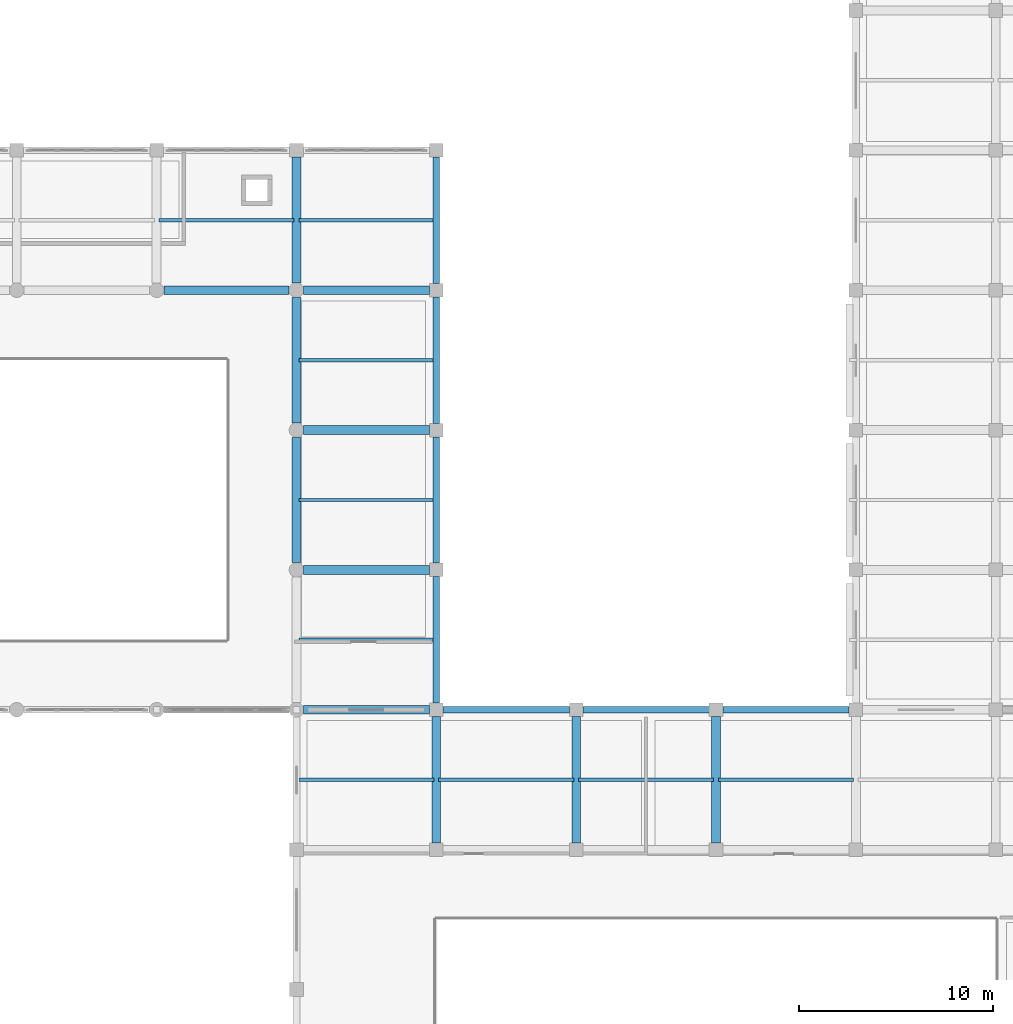
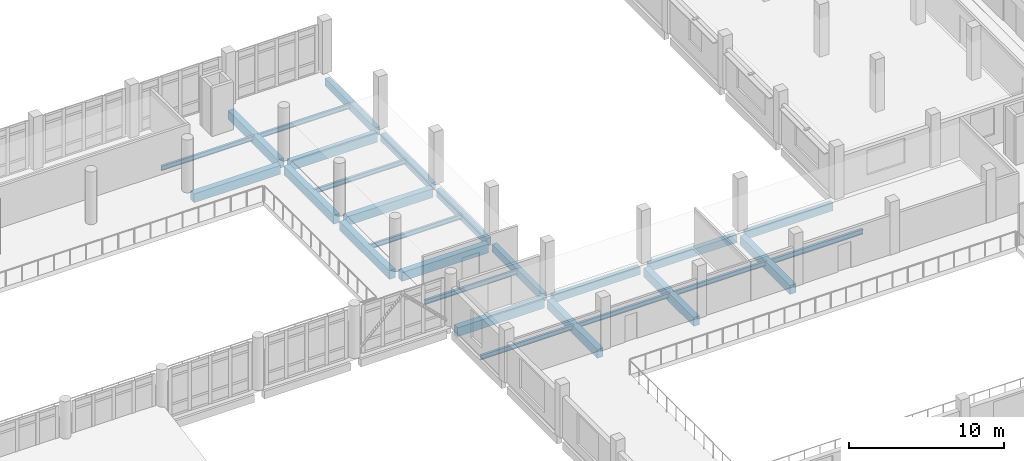
# One storey, part 14 of 57: 27 beams.
"""IFC4 building model written with IfcOpenShell, lengths in metres."""

from ifc_helpers import new_model, si_unit, direction, frame, origin, origin_2d, place, context, subcontext, project, spatial, rectangle, i_section, extrude, material, material_profile, profile_set, type_object, element, save


model = new_model("IFC4")

# Units and contexts
model_context = context("Model", 3, precision=1e-05, world=origin(), true_north=direction((0.0, 1.0)))
body_context = subcontext(model_context, "Body", "Model", "MODEL_VIEW")
ifc_project = project(units=[si_unit("LENGTHUNIT", "METRE"), si_unit("AREAUNIT", "SQUARE_METRE"), si_unit("VOLUMEUNIT", "CUBIC_METRE"), si_unit("PLANEANGLEUNIT", "RADIAN"), si_unit("MASSUNIT", "GRAM", prefix="KILO")], contexts=[model_context])

# Site, building, storey
site_placement = place(None, origin())
site = spatial("IfcSite", under=ifc_project, at=site_placement, CompositionType="ELEMENT")
building_placement = place(site_placement, origin())
building = spatial("IfcBuilding", under=site, at=building_placement, Name="Valkovuoma Quantum and Materials Research Institute", CompositionType="ELEMENT")
storey_placement = place(building_placement, frame((0.0, 0.0, 4.800048828125)))
storey = spatial("IfcBuildingStorey", under=building, at=storey_placement, Name="L01", CompositionType="ELEMENT", Elevation=4.800048828125)

# Beams
ifc_material_1 = material(Name="Steel S355J2", Category="steel")
ifc_material_profile_1 = material_profile(ifc_material_1, i_section(OverallWidth=0.169921875, OverallDepth=0.360107421875, WebThickness=0.008056640625, FlangeThickness=0.0126953125, FilletRadius=0.01806640625, at=origin_2d()), Name="Steel S355J2")
ifc_profile_set_1 = profile_set([ifc_material_profile_1], Name="Steel S355J2")
beam_type_1 = type_object("IfcBeamType", Name="Beam-B-JST360", PredefinedType="JOIST", material=ifc_profile_set_1)
for number, where, z_axis, x_axis, name in (
    (1, (100.919921875, 32.39990234375, -0.530029296875), (1.0, 0.0, 0.0), (0.0, 1.0, 0.0), "L01 floor joist 0865"),
    (2, (108.1201171875, 32.39990234375, -0.530029296875), (1.0, 0.0, 0.0), (0.0, 1.0, 0.0), "L01 floor joist 0866"),
    (3, (115.320068359375, 32.39990234375, -0.530029296875), (1.0, 0.0, 0.0), (0.0, 1.0, 0.0), "L01 floor joist 0867"),
    (4, (100.919921875, 39.60009765625, -0.530029296875), (1.0, 0.0, 0.0), (0.0, 1.0, 0.0), "L01 floor joist 0876"),
    (5, (100.919921875, 46.800048828125, -0.530029296875), (1.0, 0.0, 0.0), (0.0, 1.0, 0.0), "L01 floor joist 0887"),
    (6, (100.919921875, 54.0, -0.530029296875), (1.0, 0.0, 0.0), (0.0, 1.0, 0.0), "L01 floor joist 0898"),
    (7, (93.719970703125, 61.199951171875, -0.530029296875), (1.0, 0.0, 0.0), (0.0, 1.0, 0.0), "L01 floor joist 0917"),
    (8, (100.919921875, 61.199951171875, -0.530029296875), (1.0, 0.0, 0.0), (0.0, 1.0, 0.0), "L01 floor joist 0918"),
):
    element("IfcBeam", number, at=place(storey_placement, frame(where, z_axis=z_axis, x_axis=x_axis)), inside=storey, type_object=beam_type_1, Name=name, PredefinedType="JOIST", context=body_context, shape_type="SweptSolid", body=[
        extrude(i_section(OverallWidth=0.169921875, OverallDepth=0.360107421875, WebThickness=0.008056640625, FlangeThickness=0.0126953125, FilletRadius=0.01806640625, at=origin_2d()), origin(), (0.0, 0.0, 1.0), 6.9599609375),
    ])
ifc_material_2 = material(Name="Steel S355J2", Category="steel")
ifc_material_profile_2 = material_profile(ifc_material_2, i_section(OverallWidth=0.179931640625, OverallDepth=0.39990234375, WebThickness=0.008544921875, FlangeThickness=0.013427734375, FilletRadius=0.02099609375, at=origin_2d()), Name="Steel S355J2")
ifc_profile_set_2 = profile_set([ifc_material_profile_2], Name="Steel S355J2")
beam_type_2 = type_object("IfcBeamType", Name="Beam-B-JST400", PredefinedType="JOIST", material=ifc_profile_set_2)
beam_1_placement = place(storey_placement, frame((122.52001953125, 32.39990234375, -0.550048828125), z_axis=(1.0, 0.0, 0.0), x_axis=(0.0, 1.0, 0.0)))
element("IfcBeam", 9, at=beam_1_placement, inside=storey, type_object=beam_type_2, Name="L01 floor joist 0868", PredefinedType="JOIST", context=body_context, shape_type="SweptSolid", body=[
    extrude(i_section(OverallWidth=0.179931640625, OverallDepth=0.39990234375, WebThickness=0.008544921875, FlangeThickness=0.013427734375, FilletRadius=0.02099609375, at=origin_2d()), origin(), (0.0, 0.0, 1.0), 6.9599609375),
])
ifc_material_3 = material(Name="Concrete C40/50", Category="concrete")
ifc_material_profile_3 = material_profile(ifc_material_3, rectangle(XDim=0.449951171875, YDim=0.699951171875, at=origin_2d()), Name="Concrete C40/50")
ifc_profile_set_3 = profile_set([ifc_material_profile_3], Name="Concrete C40/50")
beam_type_3 = type_object("IfcBeamType", Name="Beam-B-RC700", PredefinedType="BEAM", material=ifc_profile_set_3)
for number, where, z_axis, x_axis, name in (
    (10, (101.175048828125, 36.0, -0.699951171875), (1.0, 0.0, 0.0), (0.0, 1.0, 0.0), "L01 beam X-0576"),
    (11, (101.175048828125, 43.199951171875, -0.699951171875), (1.0, 0.0, 0.0), (0.0, 1.0, 0.0), "L01 beam X-0591"),
    (12, (101.175048828125, 50.39990234375, -0.699951171875), (1.0, 0.0, 0.0), (0.0, 1.0, 0.0), "L01 beam X-0602"),
):
    element("IfcBeam", number, at=place(storey_placement, frame(where, z_axis=z_axis, x_axis=x_axis)), inside=storey, type_object=beam_type_3, Name=name, PredefinedType="BEAM", context=body_context, shape_type="SweptSolid", body=[
        extrude(rectangle(XDim=0.449951171875, YDim=0.699951171875, at=origin_2d()), origin(), (0.0, 0.0, 1.0), 6.474853515625),
    ])
beam_2_placement = place(storey_placement, frame((93.97509765625, 57.60009765625, -0.699951171875), z_axis=(1.0, 0.0, 0.0), x_axis=(0.0, 1.0, 0.0)))
element("IfcBeam", 13, at=beam_2_placement, inside=storey, type_object=beam_type_3, Name="L01 beam X-0621", PredefinedType="BEAM", context=body_context, shape_type="SweptSolid", body=[
    extrude(rectangle(XDim=0.449951171875, YDim=0.699951171875, at=origin_2d()), origin(), (0.0, 0.0, 1.0), 6.449951171875),
])
beam_3_placement = place(storey_placement, frame((101.175048828125, 57.60009765625, -0.699951171875), z_axis=(1.0, 0.0, 0.0), x_axis=(0.0, 1.0, 0.0)))
element("IfcBeam", 14, at=beam_3_placement, inside=storey, type_object=beam_type_3, Name="L01 beam X-0622", PredefinedType="BEAM", context=body_context, shape_type="SweptSolid", body=[
    extrude(rectangle(XDim=0.449951171875, YDim=0.699951171875, at=origin_2d()), origin(), (0.0, 0.0, 1.0), 6.474853515625),
])
beam_4_placement = place(storey_placement, frame((100.800048828125, 43.574951171875, -0.699951171875), z_axis=(0.0, 1.0, 0.0), x_axis=(-1.0, 0.0, 0.0)))
element("IfcBeam", 15, at=beam_4_placement, inside=storey, type_object=beam_type_3, Name="L01 beam Y-0785", PredefinedType="BEAM", context=body_context, shape_type="SweptSolid", body=[
    extrude(rectangle(XDim=0.449951171875, YDim=0.699951171875, at=origin_2d()), origin(), (0.0, 0.0, 1.0), 6.449951171875),
])
beam_5_placement = place(storey_placement, frame((100.800048828125, 50.77490234375, -0.699951171875), z_axis=(0.0, 1.0, 0.0), x_axis=(-1.0, 0.0, 0.0)))
element("IfcBeam", 16, at=beam_5_placement, inside=storey, type_object=beam_type_3, Name="L01 beam Y-0786", PredefinedType="BEAM", context=body_context, shape_type="SweptSolid", body=[
    extrude(rectangle(XDim=0.449951171875, YDim=0.699951171875, at=origin_2d()), origin(), (0.0, 0.0, 1.0), 6.4501953125),
])
beam_6_placement = place(storey_placement, frame((100.800048828125, 57.97509765625, -0.699951171875), z_axis=(0.0, 1.0, 0.0), x_axis=(-1.0, 0.0, 0.0)))
element("IfcBeam", 17, at=beam_6_placement, inside=storey, type_object=beam_type_3, Name="L01 beam Y-0787", PredefinedType="BEAM", context=body_context, shape_type="SweptSolid", body=[
    extrude(rectangle(XDim=0.449951171875, YDim=0.699951171875, at=origin_2d()), origin(), (0.0, 0.0, 1.0), 6.474853515625),
])
for number, where, z_axis, x_axis, name in (
    (18, (108.0, 29.14990234375, -0.699951171875), (0.0, 1.0, 0.0), (-1.0, 0.0, 0.0), "L01 beam Y-0788"),
    (19, (115.199951171875, 29.14990234375, -0.699951171875), (0.0, 1.0, 0.0), (-1.0, 0.0, 0.0), "L01 beam Y-0793"),
    (20, (122.39990234375, 29.14990234375, -0.699951171875), (0.0, 1.0, 0.0), (-1.0, 0.0, 0.0), "L01 beam Y-0794"),
):
    element("IfcBeam", number, at=place(storey_placement, frame(where, z_axis=z_axis, x_axis=x_axis)), inside=storey, type_object=beam_type_3, Name=name, PredefinedType="BEAM", context=body_context, shape_type="SweptSolid", body=[
        extrude(rectangle(XDim=0.449951171875, YDim=0.699951171875, at=origin_2d()), origin(), (0.0, 0.0, 1.0), 6.5),
    ])
ifc_material_4 = material(Name="Concrete C40/50", Category="concrete")
ifc_material_profile_4 = material_profile(ifc_material_4, rectangle(XDim=0.35009765625, YDim=0.60009765625, at=origin_2d()), Name="Concrete C40/50")
ifc_profile_set_4 = profile_set([ifc_material_profile_4], Name="Concrete C40/50")
beam_type_4 = type_object("IfcBeamType", Name="Beam-B-SPN600", PredefinedType="SPANDREL", material=ifc_profile_set_4)
for number, where, z_axis, x_axis, name in (
    (21, (108.35009765625, 36.0, -0.650146484375), (1.0, 0.0, 0.0), (0.0, 1.0, 0.0), "L01 beam X-0577"),
    (22, (115.550048828125, 36.0, -0.650146484375), (1.0, 0.0, 0.0), (0.0, 1.0, 0.0), "L01 beam X-0578"),
    (23, (122.75, 36.0, -0.650146484375), (1.0, 0.0, 0.0), (0.0, 1.0, 0.0), "L01 beam X-0579"),
    (24, (108.0, 36.35009765625, -0.650146484375), (0.0, 1.0, 0.0), (-1.0, 0.0, 0.0), "L01 beam Y-0789"),
    (25, (108.0, 43.550048828125, -0.650146484375), (0.0, 1.0, 0.0), (-1.0, 0.0, 0.0), "L01 beam Y-0790"),
    (26, (108.0, 50.75, -0.650146484375), (0.0, 1.0, 0.0), (-1.0, 0.0, 0.0), "L01 beam Y-0791"),
    (27, (108.0, 57.949951171875, -0.650146484375), (0.0, 1.0, 0.0), (-1.0, 0.0, 0.0), "L01 beam Y-0792"),
):
    element("IfcBeam", number, at=place(storey_placement, frame(where, z_axis=z_axis, x_axis=x_axis)), inside=storey, type_object=beam_type_4, Name=name, PredefinedType="SPANDREL", context=body_context, shape_type="SweptSolid", body=[
        extrude(rectangle(XDim=0.35009765625, YDim=0.60009765625, at=origin_2d()), origin(), (0.0, 0.0, 1.0), 6.5),
    ])

save(model, "model.ifc")
